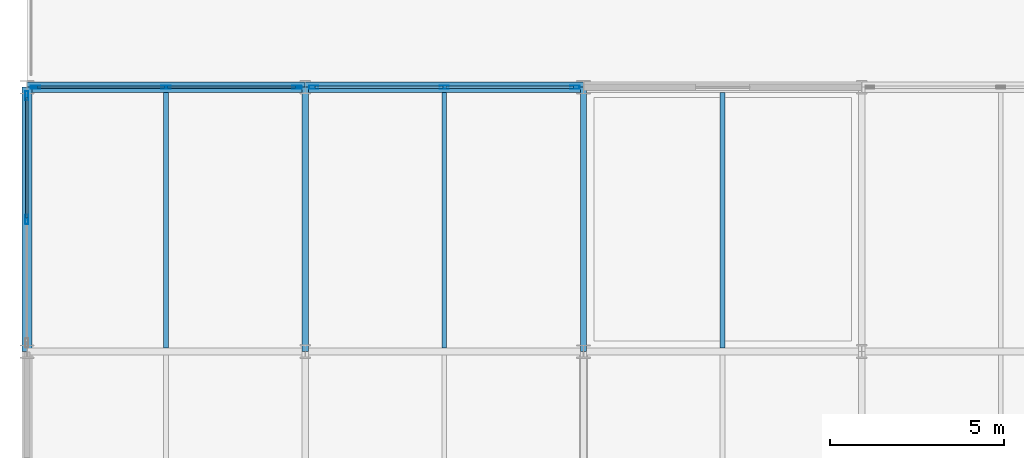
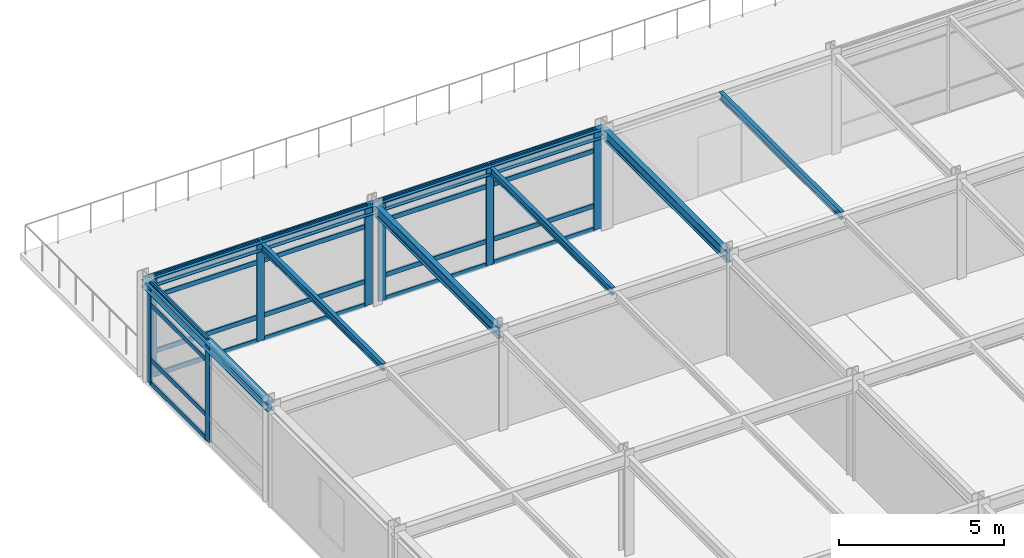
# One storey, part 8 of 17: 28 members, 8 beams, 3 elements without a shape of their own.
"""IFC4 building model written with IfcOpenShell, lengths in metres."""

import ifcopenshell
import ifcopenshell.guid

model = None  # the IFC model being written
_history = None  # IfcOwnerHistory: only IFC2X3 demands one
_inside = {}  # id of a spatial element -> (the spatial element, [elements in it])
_under = {}  # id of a project, library or spatial element -> (it, [spatial elements below it])
_declared = {}  # id of a project -> (the project, [libraries it declares])
_typed = {}  # id of a type object -> (the type object, [elements of that type])
_made_of = {}  # id of a material, layer set ... -> (it, [elements and type objects made of it])


def new_model(schema):
    """Start an empty IFC model of exactly this schema.

    Asked for "IFC4X3", IfcOpenShell would pick the latest addendum, in which some entities
    have other attributes; the version numbers below select the first issue.
    IFC2X3 requires an IfcOwnerHistory on every rooted entity: one is made here for all.
    """
    global model, _history
    if schema == "IFC4X3":
        model = ifcopenshell.file(schema_version=(4, 3, 0, 0))
    else:
        model = ifcopenshell.file(schema=schema)
    _inside.clear()
    _under.clear()
    _declared.clear()
    _typed.clear()
    _made_of.clear()
    _history = None
    if model.schema == "IFC2X3":
        org = make("IfcOrganization", Name="unknown")
        user = make(
            "IfcPersonAndOrganization",
            ThePerson=make("IfcPerson", FamilyName="unknown"),
            TheOrganization=org,
        )
        app = make(
            "IfcApplication",
            ApplicationDeveloper=org,
            Version="unknown",
            ApplicationFullName="unknown",
            ApplicationIdentifier="unknown",
        )
        _history = make(
            "IfcOwnerHistory",
            OwningUser=user,
            OwningApplication=app,
            ChangeAction="ADDED",
            CreationDate=0,
        )
    return model


def make(cls, **values):
    """One entity of the class cls with the attributes given. An attribute that is None is left unset."""
    return model.create_entity(
        cls, **{name: value for name, value in values.items() if value is not None}
    )


def rooted(cls, **values):
    """An entity with a GlobalId (a new one), such as an element, a storey or a relation."""
    return make(cls, GlobalId=ifcopenshell.guid.new(), OwnerHistory=_history, **values)


def si_unit(unit_type, name, prefix=None):
    """IfcSIUnit, for example si_unit("LENGTHUNIT", "METRE", prefix="MILLI")."""
    return make("IfcSIUnit", UnitType=unit_type, Prefix=prefix, Name=name)


def assignment(units):
    """IfcUnitAssignment: the units of a project."""
    return None if units is None else make("IfcUnitAssignment", Units=units)


def point(xyz):
    """IfcCartesianPoint."""
    return None if xyz is None else make("IfcCartesianPoint", Coordinates=xyz)


def direction(xyz):
    """IfcDirection."""
    return None if xyz is None else make("IfcDirection", DirectionRatios=xyz)


def frame(location, z_axis=None, x_axis=None):
    """IfcAxis2Placement3D, a coordinate frame: its origin and axes. An axis left out is left unset."""
    return make(
        "IfcAxis2Placement3D",
        Location=point(location),
        Axis=direction(z_axis),
        RefDirection=direction(x_axis),
    )


def frame_2d(location, x_axis=None):
    """IfcAxis2Placement2D, a coordinate frame in the plane: its origin and x axis."""
    return make(
        "IfcAxis2Placement2D", Location=point(location), RefDirection=direction(x_axis)
    )


def origin():
    """The frame at (0, 0, 0) with its axes left unset."""
    return frame((0.0, 0.0, 0.0))


def origin_2d():
    """The frame at (0, 0) in the plane with its x axis left unset."""
    return frame_2d((0.0, 0.0))


def place(relative_to, where):
    """IfcLocalPlacement: puts the frame where relative to a parent placement (None: the world)."""
    return make(
        "IfcLocalPlacement", PlacementRelTo=relative_to, RelativePlacement=where
    )


def context(
    kind, dimensions, precision=None, world=None, true_north=None, identifier=None
):
    """IfcGeometricRepresentationContext, for example the 3D "Model" context."""
    return make(
        "IfcGeometricRepresentationContext",
        ContextIdentifier=identifier,
        ContextType=kind,
        CoordinateSpaceDimension=dimensions,
        Precision=precision,
        WorldCoordinateSystem=world,
        TrueNorth=true_north,
    )


def subcontext(parent, identifier, kind, view, scale=None):
    """IfcGeometricRepresentationSubContext, for example "Body" below "Model"."""
    return make(
        "IfcGeometricRepresentationSubContext",
        ContextIdentifier=identifier,
        ContextType=kind,
        ParentContext=parent,
        TargetScale=scale,
        TargetView=view,
    )


def project(units=None, contexts=None):
    """IfcProject with its units and contexts."""
    return rooted(
        "IfcProject",
        Name="project",
        RepresentationContexts=contexts,
        UnitsInContext=assignment(units),
    )


def spatial(cls, under=None, at=None, **own):
    """A site, building, storey or space (cls), placed at a placement, below another one or the project."""
    s = rooted(cls, ObjectPlacement=at, **own)
    if under is not None:
        _under.setdefault(under.id(), (under, []))[1].append(s)
    return s


def profile(cls, at=None, kind="AREA", **sizes):
    """A parametric profile (cls). Its sizes go by their IFC names, for example OverallWidth=200.0."""
    return make(cls, ProfileType=kind, Position=at, **sizes)


def hollow_rectangle(**sizes):
    """IfcRectangleHollowProfileDef."""
    return profile("IfcRectangleHollowProfileDef", **sizes)


def i_section(**sizes):
    """IfcIShapeProfileDef."""
    return profile("IfcIShapeProfileDef", **sizes)


def extrude(swept, where, along, depth):
    """IfcExtrudedAreaSolid: the profile swept, set in the frame where, extruded along a direction by depth."""
    return make(
        "IfcExtrudedAreaSolid",
        SweptArea=swept,
        Position=where,
        ExtrudedDirection=direction(along),
        Depth=depth,
    )


def shape(context_of_items, identifier, shape_type, items):
    """IfcShapeRepresentation: the items that make up one representation, for example the "Body"."""
    return make(
        "IfcShapeRepresentation",
        ContextOfItems=context_of_items,
        RepresentationIdentifier=identifier,
        RepresentationType=shape_type,
        Items=items,
    )


def material(Name=None, Category=None):
    """IfcMaterial."""
    return make("IfcMaterial", Name=Name, Category=Category)


def layer(
    of_material, thickness, ventilated=None, Name=None, Category=None, Priority=None
):
    """IfcMaterialLayer: one layer of a wall or slab, of a material (None: an air gap)."""
    return make(
        "IfcMaterialLayer",
        Material=of_material,
        LayerThickness=thickness,
        IsVentilated=ventilated,
        Name=Name,
        Category=Category,
        Priority=Priority,
    )


def layer_set(layers, Name=None):
    """IfcMaterialLayerSet."""
    return make("IfcMaterialLayerSet", MaterialLayers=layers, LayerSetName=Name)


def material_profile(
    of_material, cross_section, Name=None, Category=None, Priority=None
):
    """IfcMaterialProfile: a cross section and its material."""
    return make(
        "IfcMaterialProfile",
        Name=Name,
        Material=of_material,
        Profile=cross_section,
        Priority=Priority,
        Category=Category,
    )


def profile_set(profiles, Name=None, composite=None):
    """IfcMaterialProfileSet."""
    return make(
        "IfcMaterialProfileSet",
        Name=Name,
        MaterialProfiles=profiles,
        CompositeProfile=composite,
    )


def made_of(thing, what):
    """Note that an element or type object is made of a material, layer set ...; save() writes the relation."""
    if what is not None:
        _made_of.setdefault(what.id(), (what, []))[1].append(thing)
    return thing


def type_object(cls, material=None, **own):
    """A type object (cls), such as IfcWallType, which elements share."""
    return made_of(rooted(cls, **own), material)


def element(
    cls,
    number,
    at=None,
    inside=None,
    cuts=None,
    type_object=None,
    material=None,
    context=None,
    identifier="Body",
    shape_type=None,
    held_by="IfcProductDefinitionShape",
    body=None,
    shapes=None,
    **own,
):
    """One element of the class cls, such as IfcWall. Its Tag is "e" and its number.

    at: its placement. inside: the storey or other place that contains it. cuts: it is an
    opening in that element (IfcRelVoidsElement). A single representation is given by context,
    identifier, shape_type and body (its items); several are given by shapes. held_by: the class
    of the entity that holds the representations. save() writes the other relations.
    """
    e = rooted(cls, Tag="e%d" % number, ObjectPlacement=at, **own)
    if body is not None:
        shapes = [shape(context, identifier, shape_type, body)]
    if shapes is not None:
        e.Representation = make(held_by, Representations=shapes)
    if inside is not None:
        _inside.setdefault(inside.id(), (inside, []))[1].append(e)
    if cuts is not None:
        rooted(
            "IfcRelVoidsElement", RelatingBuildingElement=cuts, RelatedOpeningElement=e
        )
    if type_object is not None:
        _typed.setdefault(type_object.id(), (type_object, []))[1].append(e)
    return made_of(e, material)


def aggregate(whole, parts):
    """IfcRelAggregates: a whole, such as a stair, and the parts it consists of."""
    return rooted("IfcRelAggregates", RelatingObject=whole, RelatedObjects=parts)


def save(model, path):
    """Write the relations noted so far, then the file.

    IfcRelAggregates (storeys below a building ...), IfcRelContainedInSpatialStructure (elements
    in a storey), IfcRelDefinesByType, IfcRelAssociatesMaterial and IfcRelDeclares: one each for
    every whole, place, type object, material and project.
    """
    for whole, parts in _under.values():
        aggregate(whole, parts)
    for where, things in _inside.values():
        rooted(
            "IfcRelContainedInSpatialStructure",
            RelatedElements=things,
            RelatingStructure=where,
        )
    for kind, things in _typed.values():
        rooted("IfcRelDefinesByType", RelatedObjects=things, RelatingType=kind)
    for what, things in _made_of.values():
        rooted("IfcRelAssociatesMaterial", RelatedObjects=things, RelatingMaterial=what)
    for by, libraries in _declared.values():
        rooted("IfcRelDeclares", RelatingContext=by, RelatedDefinitions=libraries)
    model.write(path)


model = new_model("IFC4")

# Units and contexts
model_context = context("Model", 3, precision=1e-05, world=origin(), true_north=direction((0.0, 1.0)))
body_context = subcontext(model_context, "Body", "Model", "MODEL_VIEW")
ifc_project = project(units=[si_unit("LENGTHUNIT", "METRE"), si_unit("AREAUNIT", "SQUARE_METRE"), si_unit("VOLUMEUNIT", "CUBIC_METRE"), si_unit("PLANEANGLEUNIT", "RADIAN"), si_unit("MASSUNIT", "GRAM", prefix="KILO")], contexts=[model_context])

# Site, building, storey
site_placement = place(None, origin())
site = spatial("IfcSite", under=ifc_project, at=site_placement, CompositionType="ELEMENT")
building_placement = place(site_placement, origin())
building = spatial("IfcBuilding", under=site, at=building_placement, Name="Shalkamar Park Central Library", CompositionType="ELEMENT")
storey_placement = place(building_placement, frame((0.0, 0.0, 36.0)))
storey = spatial("IfcBuildingStorey", under=building, at=storey_placement, Name="L09", CompositionType="ELEMENT", Elevation=36.0)

# Beams
ifc_material_1 = material(Name="Steel S355", Category="steel")
ifc_material_profile_1 = material_profile(ifc_material_1, i_section(OverallWidth=0.135009765625, OverallDepth=0.27001953125, WebThickness=0.006591796875, FlangeThickness=0.01025390625, FilletRadius=0.014892578125, at=origin_2d()), Name="IPE 270")
ifc_profile_set_1 = profile_set([ifc_material_profile_1], Name="Steel S355")
beam_type_1 = type_object("IfcBeamType", Name="Composite Floor Joist IPE270", PredefinedType="JOIST", material=ifc_profile_set_1)
for number, where, z_axis, x_axis, name in (
    (1, (169.0, 278.097900390625, 3.544921875), (0.0, 1.0, 0.0), (-1.0, 0.0, 0.0), "Composite Joist 07/F-1 (L09)"),
    (2, (177.0, 278.097900390625, 3.544921875), (0.0, 1.0, 0.0), (-1.0, 0.0, 0.0), "Composite Joist 08/F-1 (L09)"),
    (3, (185.0, 278.097900390625, 3.544921875), (0.0, 1.0, 0.0), (-1.0, 0.0, 0.0), "Composite Joist 09/F-1 (L09)"),
):
    element("IfcBeam", number, at=place(storey_placement, frame(where, z_axis=z_axis, x_axis=x_axis)), inside=storey, type_object=beam_type_1, Name=name, PredefinedType="JOIST", context=body_context, shape_type="SweptSolid", body=[
        extrude(i_section(OverallWidth=0.135009765625, OverallDepth=0.27001953125, WebThickness=0.006591796875, FlangeThickness=0.01025390625, FilletRadius=0.014892578125, at=origin_2d()), origin(), (0.0, 0.0, 1.0), 7.35400390625),
    ])

# Curtain wall, members
ifc_material_2 = material(Name="Thermally broken aluminium and triple low-e curtain wall", Category="aluminium")
ifc_layer_1 = layer(ifc_material_2, 0.27001953125)
ifc_layer_set_1 = layer_set([ifc_layer_1], Name="UnitisedCurtainWall_76")
curtain_wall_type_1 = type_object("IfcCurtainWallType", Name="Unitised Curtain Wall 76", PredefinedType="USERDEFINED", material=ifc_layer_set_1)
curtain_wall_1_placement = place(storey_placement, origin())
curtain_wall_1 = element("IfcCurtainWall", 4, at=curtain_wall_1_placement, inside=storey, type_object=curtain_wall_type_1, Name="Unitised Curtain Wall CW-L09-112", ObjectType="UNITISED CURTAIN WALL", PredefinedType="USERDEFINED")
ifc_material_3 = material(Name="Aluminium 6060-T66", Category="aluminium")
ifc_material_profile_2 = material_profile(ifc_material_3, hollow_rectangle(XDim=0.080078125, YDim=0.27001953125, WallThickness=0.0048828125, InnerFilletRadius=0.0048828125, OuterFilletRadius=0.007568359375, at=origin_2d()), Name="ALU 80x270x5")
ifc_profile_set_2 = profile_set([ifc_material_profile_2], Name="Aluminium 6060-T66")
member_type_1 = type_object("IfcMemberType", Name="Curtain Wall Mullion ALU80x270", PredefinedType="MULLION", material=ifc_profile_set_2)
member_1_placement = place(storey_placement, frame((165.242919921875, 285.60009765625, 0.0), z_axis=(0.0, 0.0, 1.0), x_axis=(0.0, 1.0, 0.0)))
member_1 = element("IfcMember", 5, at=member_1_placement, type_object=member_type_1, Name="CW-76 mullion 1", PredefinedType="MULLION", context=body_context, shape_type="SweptSolid", body=[
    extrude(hollow_rectangle(XDim=0.080078125, YDim=0.27001953125, WallThickness=0.0048828125, InnerFilletRadius=0.0048828125, OuterFilletRadius=0.007568359375, at=origin_2d()), origin(), (0.0, 0.0, 1.0), 3.679931640625),
])
member_2_placement = place(storey_placement, frame((169.000732421875, 285.60009765625, 0.0), z_axis=(0.0, 0.0, 1.0), x_axis=(0.0, 1.0, 0.0)))
member_2 = element("IfcMember", 6, at=member_2_placement, type_object=member_type_1, Name="CW-76 mullion 2", PredefinedType="MULLION", context=body_context, shape_type="SweptSolid", body=[
    extrude(hollow_rectangle(XDim=0.080078125, YDim=0.27001953125, WallThickness=0.0048828125, InnerFilletRadius=0.0048828125, OuterFilletRadius=0.007568359375, at=origin_2d()), origin(), (0.0, 0.0, 1.0), 3.679931640625),
])
member_3_placement = place(storey_placement, frame((172.758544921875, 285.60009765625, 0.0), z_axis=(0.0, 0.0, 1.0), x_axis=(0.0, 1.0, 0.0)))
member_3 = element("IfcMember", 7, at=member_3_placement, type_object=member_type_1, Name="CW-76 mullion 3", PredefinedType="MULLION", context=body_context, shape_type="SweptSolid", body=[
    extrude(hollow_rectangle(XDim=0.080078125, YDim=0.27001953125, WallThickness=0.0048828125, InnerFilletRadius=0.0048828125, OuterFilletRadius=0.007568359375, at=origin_2d()), origin(), (0.0, 0.0, 1.0), 3.679931640625),
])

ifc_layer_2 = layer(ifc_material_2, 0.264892578125)
ifc_layer_set_2 = layer_set([ifc_layer_2], Name="UnitisedCurtainWall_77")
curtain_wall_type_2 = type_object("IfcCurtainWallType", Name="Unitised Curtain Wall 77", PredefinedType="USERDEFINED", material=ifc_layer_set_2)
curtain_wall_2_placement = place(storey_placement, origin())
curtain_wall_2 = element("IfcCurtainWall", 8, at=curtain_wall_2_placement, inside=storey, type_object=curtain_wall_type_2, Name="Unitised Curtain Wall CW-L09-113", ObjectType="UNITISED CURTAIN WALL", PredefinedType="USERDEFINED")
ifc_material_profile_3 = material_profile(ifc_material_3, hollow_rectangle(XDim=0.0849609375, YDim=0.264892578125, WallThickness=0.0048828125, InnerFilletRadius=0.0048828125, OuterFilletRadius=0.007568359375, at=origin_2d()), Name="ALU 85x265x5")
ifc_profile_set_3 = profile_set([ifc_material_profile_3], Name="Aluminium 6060-T66")
member_type_2 = type_object("IfcMemberType", Name="Curtain Wall Mullion ALU85x265", PredefinedType="MULLION", material=ifc_profile_set_3)
member_4_placement = place(storey_placement, frame((173.243896484375, 285.60009765625, 0.0), z_axis=(0.0, 0.0, 1.0), x_axis=(0.0, 1.0, 0.0)))
member_4 = element("IfcMember", 9, at=member_4_placement, type_object=member_type_2, Name="CW-77 mullion 1", PredefinedType="MULLION", context=body_context, shape_type="SweptSolid", body=[
    extrude(hollow_rectangle(XDim=0.0849609375, YDim=0.264892578125, WallThickness=0.0048828125, InnerFilletRadius=0.0048828125, OuterFilletRadius=0.007568359375, at=origin_2d()), origin(), (0.0, 0.0, 1.0), 3.679931640625),
])
member_5_placement = place(storey_placement, frame((176.999267578125, 285.60009765625, 0.0), z_axis=(0.0, 0.0, 1.0), x_axis=(0.0, 1.0, 0.0)))
member_5 = element("IfcMember", 10, at=member_5_placement, type_object=member_type_2, Name="CW-77 mullion 2", PredefinedType="MULLION", context=body_context, shape_type="SweptSolid", body=[
    extrude(hollow_rectangle(XDim=0.0849609375, YDim=0.264892578125, WallThickness=0.0048828125, InnerFilletRadius=0.0048828125, OuterFilletRadius=0.007568359375, at=origin_2d()), origin(), (0.0, 0.0, 1.0), 3.679931640625),
])
member_6_placement = place(storey_placement, frame((180.75439453125, 285.60009765625, 0.0), z_axis=(0.0, 0.0, 1.0), x_axis=(0.0, 1.0, 0.0)))
member_6 = element("IfcMember", 11, at=member_6_placement, type_object=member_type_2, Name="CW-77 mullion 3", PredefinedType="MULLION", context=body_context, shape_type="SweptSolid", body=[
    extrude(hollow_rectangle(XDim=0.0849609375, YDim=0.264892578125, WallThickness=0.0048828125, InnerFilletRadius=0.0048828125, OuterFilletRadius=0.007568359375, at=origin_2d()), origin(), (0.0, 0.0, 1.0), 3.679931640625),
])

ifc_layer_3 = layer(ifc_material_2, 0.264892578125)
ifc_layer_set_3 = layer_set([ifc_layer_3], Name="UnitisedCurtainWall_81")
curtain_wall_type_3 = type_object("IfcCurtainWallType", Name="Unitised Curtain Wall 81", PredefinedType="USERDEFINED", material=ifc_layer_set_3)
curtain_wall_3_placement = place(storey_placement, origin())
curtain_wall_3 = element("IfcCurtainWall", 12, at=curtain_wall_3_placement, inside=storey, type_object=curtain_wall_type_3, Name="Unitised Curtain Wall CW-L09-117", ObjectType="UNITISED CURTAIN WALL", PredefinedType="USERDEFINED")
member_7_placement = place(storey_placement, frame((165.0, 281.800048828125, 0.0), z_axis=(0.0, 0.0, 1.0), x_axis=(-1.0, 0.0, 0.0)))
member_7 = element("IfcMember", 13, at=member_7_placement, type_object=member_type_2, Name="CW-81 mullion 2", PredefinedType="MULLION", context=body_context, shape_type="SweptSolid", body=[
    extrude(hollow_rectangle(XDim=0.0849609375, YDim=0.264892578125, WallThickness=0.0048828125, InnerFilletRadius=0.0048828125, OuterFilletRadius=0.007568359375, at=origin_2d()), origin(), (0.0, 0.0, 1.0), 3.679931640625),
])
member_8_placement = place(storey_placement, frame((165.0, 285.3544921875, 0.0), z_axis=(0.0, 0.0, 1.0), x_axis=(-1.0, 0.0, 0.0)))
member_8 = element("IfcMember", 14, at=member_8_placement, type_object=member_type_2, Name="CW-81 mullion 3", PredefinedType="MULLION", context=body_context, shape_type="SweptSolid", body=[
    extrude(hollow_rectangle(XDim=0.0849609375, YDim=0.264892578125, WallThickness=0.0048828125, InnerFilletRadius=0.0048828125, OuterFilletRadius=0.007568359375, at=origin_2d()), origin(), (0.0, 0.0, 1.0), 3.679931640625),
])

# Member
ifc_material_profile_4 = material_profile(ifc_material_3, hollow_rectangle(XDim=0.06494140625, YDim=0.175048828125, WallThickness=0.00439453125, InnerFilletRadius=0.00439453125, OuterFilletRadius=0.0068359375, at=origin_2d()), Name="ALU 65x175x4.5")
ifc_profile_set_4 = profile_set([ifc_material_profile_4], Name="Aluminium 6060-T66")
member_type_3 = type_object("IfcMemberType", Name="Curtain Wall Transom ALU65x175", PredefinedType="USERDEFINED", material=ifc_profile_set_4)
member_9_placement = place(storey_placement, frame((165.282958984375, 285.60009765625, 0.032470703125), z_axis=(1.0, 0.0, 0.0), x_axis=(0.0, 1.0, 0.0)))
member_9 = element("IfcMember", 15, at=member_9_placement, type_object=member_type_3, Name="CW-76 transom 1.1", ObjectType="TRANSOM", PredefinedType="USERDEFINED", context=body_context, shape_type="SweptSolid", body=[
    extrude(hollow_rectangle(XDim=0.06494140625, YDim=0.175048828125, WallThickness=0.00439453125, InnerFilletRadius=0.00439453125, OuterFilletRadius=0.0068359375, at=origin_2d()), origin(), (0.0, 0.0, 1.0), 3.677734375),
])

member_10_placement = place(storey_placement, frame((165.282958984375, 285.60009765625, 0.89990234375), z_axis=(1.0, 0.0, 0.0), x_axis=(0.0, 1.0, 0.0)))
member_10 = element("IfcMember", 16, at=member_10_placement, type_object=member_type_3, Name="CW-76 transom 1.2", ObjectType="TRANSOM", PredefinedType="USERDEFINED", context=body_context, shape_type="SweptSolid", body=[
    extrude(hollow_rectangle(XDim=0.06494140625, YDim=0.175048828125, WallThickness=0.00439453125, InnerFilletRadius=0.00439453125, OuterFilletRadius=0.0068359375, at=origin_2d()), origin(), (0.0, 0.0, 1.0), 3.677734375),
])

member_11_placement = place(storey_placement, frame((165.282958984375, 285.60009765625, 2.929931640625), z_axis=(1.0, 0.0, 0.0), x_axis=(0.0, 1.0, 0.0)))
member_11 = element("IfcMember", 17, at=member_11_placement, type_object=member_type_3, Name="CW-76 transom 1.3", ObjectType="TRANSOM", PredefinedType="USERDEFINED", context=body_context, shape_type="SweptSolid", body=[
    extrude(hollow_rectangle(XDim=0.06494140625, YDim=0.175048828125, WallThickness=0.00439453125, InnerFilletRadius=0.00439453125, OuterFilletRadius=0.0068359375, at=origin_2d()), origin(), (0.0, 0.0, 1.0), 3.677734375),
])

member_12_placement = place(storey_placement, frame((165.282958984375, 285.60009765625, 3.6474609375), z_axis=(1.0, 0.0, 0.0), x_axis=(0.0, 1.0, 0.0)))
member_12 = element("IfcMember", 18, at=member_12_placement, type_object=member_type_3, Name="CW-76 transom 1.4", ObjectType="TRANSOM", PredefinedType="USERDEFINED", context=body_context, shape_type="SweptSolid", body=[
    extrude(hollow_rectangle(XDim=0.06494140625, YDim=0.175048828125, WallThickness=0.00439453125, InnerFilletRadius=0.00439453125, OuterFilletRadius=0.0068359375, at=origin_2d()), origin(), (0.0, 0.0, 1.0), 3.677734375),
])

member_13_placement = place(storey_placement, frame((169.040771484375, 285.60009765625, 0.032470703125), z_axis=(1.0, 0.0, 0.0), x_axis=(0.0, 1.0, 0.0)))
member_13 = element("IfcMember", 19, at=member_13_placement, type_object=member_type_3, Name="CW-76 transom 2.1", ObjectType="TRANSOM", PredefinedType="USERDEFINED", context=body_context, shape_type="SweptSolid", body=[
    extrude(hollow_rectangle(XDim=0.06494140625, YDim=0.175048828125, WallThickness=0.00439453125, InnerFilletRadius=0.00439453125, OuterFilletRadius=0.0068359375, at=origin_2d()), origin(), (0.0, 0.0, 1.0), 3.677734375),
])

member_14_placement = place(storey_placement, frame((169.040771484375, 285.60009765625, 0.89990234375), z_axis=(1.0, 0.0, 0.0), x_axis=(0.0, 1.0, 0.0)))
member_14 = element("IfcMember", 20, at=member_14_placement, type_object=member_type_3, Name="CW-76 transom 2.2", ObjectType="TRANSOM", PredefinedType="USERDEFINED", context=body_context, shape_type="SweptSolid", body=[
    extrude(hollow_rectangle(XDim=0.06494140625, YDim=0.175048828125, WallThickness=0.00439453125, InnerFilletRadius=0.00439453125, OuterFilletRadius=0.0068359375, at=origin_2d()), origin(), (0.0, 0.0, 1.0), 3.677734375),
])

member_15_placement = place(storey_placement, frame((169.040771484375, 285.60009765625, 2.929931640625), z_axis=(1.0, 0.0, 0.0), x_axis=(0.0, 1.0, 0.0)))
member_15 = element("IfcMember", 21, at=member_15_placement, type_object=member_type_3, Name="CW-76 transom 2.3", ObjectType="TRANSOM", PredefinedType="USERDEFINED", context=body_context, shape_type="SweptSolid", body=[
    extrude(hollow_rectangle(XDim=0.06494140625, YDim=0.175048828125, WallThickness=0.00439453125, InnerFilletRadius=0.00439453125, OuterFilletRadius=0.0068359375, at=origin_2d()), origin(), (0.0, 0.0, 1.0), 3.677734375),
])

member_16_placement = place(storey_placement, frame((169.040771484375, 285.60009765625, 3.6474609375), z_axis=(1.0, 0.0, 0.0), x_axis=(0.0, 1.0, 0.0)))
member_16 = element("IfcMember", 22, at=member_16_placement, type_object=member_type_3, Name="CW-76 transom 2.4", ObjectType="TRANSOM", PredefinedType="USERDEFINED", context=body_context, shape_type="SweptSolid", body=[
    extrude(hollow_rectangle(XDim=0.06494140625, YDim=0.175048828125, WallThickness=0.00439453125, InnerFilletRadius=0.00439453125, OuterFilletRadius=0.0068359375, at=origin_2d()), origin(), (0.0, 0.0, 1.0), 3.677734375),
])

aggregate(curtain_wall_1, [member_1, member_2, member_3, member_9, member_10, member_11, member_12, member_13, member_14, member_15, member_16])

ifc_material_profile_5 = material_profile(ifc_material_3, hollow_rectangle(XDim=0.070068359375, YDim=0.179931640625, WallThickness=0.00439453125, InnerFilletRadius=0.00439453125, OuterFilletRadius=0.0068359375, at=origin_2d()), Name="ALU 70x180x4.5")
ifc_profile_set_5 = profile_set([ifc_material_profile_5], Name="Aluminium 6060-T66")
member_type_4 = type_object("IfcMemberType", Name="Curtain Wall Transom ALU70x180", PredefinedType="USERDEFINED", material=ifc_profile_set_5)
member_17_placement = place(storey_placement, frame((173.28662109375, 285.60009765625, 0.034912109375), z_axis=(1.0, 0.0, 0.0), x_axis=(0.0, 1.0, 0.0)))
member_17 = element("IfcMember", 23, at=member_17_placement, type_object=member_type_4, Name="CW-77 transom 1.1", ObjectType="TRANSOM", PredefinedType="USERDEFINED", context=body_context, shape_type="SweptSolid", body=[
    extrude(hollow_rectangle(XDim=0.070068359375, YDim=0.179931640625, WallThickness=0.00439453125, InnerFilletRadius=0.00439453125, OuterFilletRadius=0.0068359375, at=origin_2d()), origin(), (0.0, 0.0, 1.0), 3.670166015625),
])

member_18_placement = place(storey_placement, frame((173.28662109375, 285.60009765625, 0.89990234375), z_axis=(1.0, 0.0, 0.0), x_axis=(0.0, 1.0, 0.0)))
member_18 = element("IfcMember", 24, at=member_18_placement, type_object=member_type_4, Name="CW-77 transom 1.2", ObjectType="TRANSOM", PredefinedType="USERDEFINED", context=body_context, shape_type="SweptSolid", body=[
    extrude(hollow_rectangle(XDim=0.070068359375, YDim=0.179931640625, WallThickness=0.00439453125, InnerFilletRadius=0.00439453125, OuterFilletRadius=0.0068359375, at=origin_2d()), origin(), (0.0, 0.0, 1.0), 3.670166015625),
])

member_19_placement = place(storey_placement, frame((173.28662109375, 285.60009765625, 2.929931640625), z_axis=(1.0, 0.0, 0.0), x_axis=(0.0, 1.0, 0.0)))
member_19 = element("IfcMember", 25, at=member_19_placement, type_object=member_type_4, Name="CW-77 transom 1.3", ObjectType="TRANSOM", PredefinedType="USERDEFINED", context=body_context, shape_type="SweptSolid", body=[
    extrude(hollow_rectangle(XDim=0.070068359375, YDim=0.179931640625, WallThickness=0.00439453125, InnerFilletRadius=0.00439453125, OuterFilletRadius=0.0068359375, at=origin_2d()), origin(), (0.0, 0.0, 1.0), 3.670166015625),
])

member_20_placement = place(storey_placement, frame((173.28662109375, 285.60009765625, 3.64501953125), z_axis=(1.0, 0.0, 0.0), x_axis=(0.0, 1.0, 0.0)))
member_20 = element("IfcMember", 26, at=member_20_placement, type_object=member_type_4, Name="CW-77 transom 1.4", ObjectType="TRANSOM", PredefinedType="USERDEFINED", context=body_context, shape_type="SweptSolid", body=[
    extrude(hollow_rectangle(XDim=0.070068359375, YDim=0.179931640625, WallThickness=0.00439453125, InnerFilletRadius=0.00439453125, OuterFilletRadius=0.0068359375, at=origin_2d()), origin(), (0.0, 0.0, 1.0), 3.670166015625),
])

member_21_placement = place(storey_placement, frame((177.041748046875, 285.60009765625, 0.034912109375), z_axis=(1.0, 0.0, 0.0), x_axis=(0.0, 1.0, 0.0)))
member_21 = element("IfcMember", 27, at=member_21_placement, type_object=member_type_4, Name="CW-77 transom 2.1", ObjectType="TRANSOM", PredefinedType="USERDEFINED", context=body_context, shape_type="SweptSolid", body=[
    extrude(hollow_rectangle(XDim=0.070068359375, YDim=0.179931640625, WallThickness=0.00439453125, InnerFilletRadius=0.00439453125, OuterFilletRadius=0.0068359375, at=origin_2d()), origin(), (0.0, 0.0, 1.0), 3.670166015625),
])

member_22_placement = place(storey_placement, frame((177.041748046875, 285.60009765625, 0.89990234375), z_axis=(1.0, 0.0, 0.0), x_axis=(0.0, 1.0, 0.0)))
member_22 = element("IfcMember", 28, at=member_22_placement, type_object=member_type_4, Name="CW-77 transom 2.2", ObjectType="TRANSOM", PredefinedType="USERDEFINED", context=body_context, shape_type="SweptSolid", body=[
    extrude(hollow_rectangle(XDim=0.070068359375, YDim=0.179931640625, WallThickness=0.00439453125, InnerFilletRadius=0.00439453125, OuterFilletRadius=0.0068359375, at=origin_2d()), origin(), (0.0, 0.0, 1.0), 3.670166015625),
])

member_23_placement = place(storey_placement, frame((177.041748046875, 285.60009765625, 2.929931640625), z_axis=(1.0, 0.0, 0.0), x_axis=(0.0, 1.0, 0.0)))
member_23 = element("IfcMember", 29, at=member_23_placement, type_object=member_type_4, Name="CW-77 transom 2.3", ObjectType="TRANSOM", PredefinedType="USERDEFINED", context=body_context, shape_type="SweptSolid", body=[
    extrude(hollow_rectangle(XDim=0.070068359375, YDim=0.179931640625, WallThickness=0.00439453125, InnerFilletRadius=0.00439453125, OuterFilletRadius=0.0068359375, at=origin_2d()), origin(), (0.0, 0.0, 1.0), 3.670166015625),
])

member_24_placement = place(storey_placement, frame((177.041748046875, 285.60009765625, 3.64501953125), z_axis=(1.0, 0.0, 0.0), x_axis=(0.0, 1.0, 0.0)))
member_24 = element("IfcMember", 30, at=member_24_placement, type_object=member_type_4, Name="CW-77 transom 2.4", ObjectType="TRANSOM", PredefinedType="USERDEFINED", context=body_context, shape_type="SweptSolid", body=[
    extrude(hollow_rectangle(XDim=0.070068359375, YDim=0.179931640625, WallThickness=0.00439453125, InnerFilletRadius=0.00439453125, OuterFilletRadius=0.0068359375, at=origin_2d()), origin(), (0.0, 0.0, 1.0), 3.670166015625),
])

aggregate(curtain_wall_2, [member_4, member_5, member_6, member_17, member_18, member_19, member_20, member_21, member_22, member_23, member_24])

member_25_placement = place(storey_placement, frame((165.0, 281.842529296875, 0.034912109375), z_axis=(0.0, 1.0, 0.0), x_axis=(-1.0, 0.0, 0.0)))
member_25 = element("IfcMember", 31, at=member_25_placement, type_object=member_type_4, Name="CW-81 transom 2.1", ObjectType="TRANSOM", PredefinedType="USERDEFINED", context=body_context, shape_type="SweptSolid", body=[
    extrude(hollow_rectangle(XDim=0.070068359375, YDim=0.179931640625, WallThickness=0.00439453125, InnerFilletRadius=0.00439453125, OuterFilletRadius=0.0068359375, at=origin_2d()), origin(), (0.0, 0.0, 1.0), 3.469482421875),
])

member_26_placement = place(storey_placement, frame((165.0, 281.842529296875, 0.89990234375), z_axis=(0.0, 1.0, 0.0), x_axis=(-1.0, 0.0, 0.0)))
member_26 = element("IfcMember", 32, at=member_26_placement, type_object=member_type_4, Name="CW-81 transom 2.2", ObjectType="TRANSOM", PredefinedType="USERDEFINED", context=body_context, shape_type="SweptSolid", body=[
    extrude(hollow_rectangle(XDim=0.070068359375, YDim=0.179931640625, WallThickness=0.00439453125, InnerFilletRadius=0.00439453125, OuterFilletRadius=0.0068359375, at=origin_2d()), origin(), (0.0, 0.0, 1.0), 3.469482421875),
])

member_27_placement = place(storey_placement, frame((165.0, 281.842529296875, 2.929931640625), z_axis=(0.0, 1.0, 0.0), x_axis=(-1.0, 0.0, 0.0)))
member_27 = element("IfcMember", 33, at=member_27_placement, type_object=member_type_4, Name="CW-81 transom 2.3", ObjectType="TRANSOM", PredefinedType="USERDEFINED", context=body_context, shape_type="SweptSolid", body=[
    extrude(hollow_rectangle(XDim=0.070068359375, YDim=0.179931640625, WallThickness=0.00439453125, InnerFilletRadius=0.00439453125, OuterFilletRadius=0.0068359375, at=origin_2d()), origin(), (0.0, 0.0, 1.0), 3.469482421875),
])

member_28_placement = place(storey_placement, frame((165.0, 281.842529296875, 3.64501953125), z_axis=(0.0, 1.0, 0.0), x_axis=(-1.0, 0.0, 0.0)))
member_28 = element("IfcMember", 34, at=member_28_placement, type_object=member_type_4, Name="CW-81 transom 2.4", ObjectType="TRANSOM", PredefinedType="USERDEFINED", context=body_context, shape_type="SweptSolid", body=[
    extrude(hollow_rectangle(XDim=0.070068359375, YDim=0.179931640625, WallThickness=0.00439453125, InnerFilletRadius=0.00439453125, OuterFilletRadius=0.0068359375, at=origin_2d()), origin(), (0.0, 0.0, 1.0), 3.469482421875),
])

aggregate(curtain_wall_3, [member_7, member_8, member_25, member_26, member_27, member_28])

# Beams
ifc_material_profile_6 = material_profile(ifc_material_1, i_section(OverallWidth=0.280029296875, OverallDepth=0.27001953125, WebThickness=0.008056640625, FlangeThickness=0.012939453125, FilletRadius=0.02392578125, at=origin_2d()), Name="HEA 280")
ifc_profile_set_6 = profile_set([ifc_material_profile_6], Name="Steel S355")
beam_type_2 = type_object("IfcBeamType", Name="Perimeter Spandrel Beam HEA280", PredefinedType="SPANDREL", material=ifc_profile_set_6)
beam_placement = place(storey_placement, frame((165.0, 278.0, 3.544921875), z_axis=(0.0, 1.0, 0.0), x_axis=(-1.0, 0.0, 0.0)))
element("IfcBeam", 35, at=beam_placement, inside=storey, type_object=beam_type_2, Name="Beam 07:F-G (L09)", PredefinedType="SPANDREL", context=body_context, shape_type="SweptSolid", body=[
    extrude(i_section(OverallWidth=0.280029296875, OverallDepth=0.27001953125, WebThickness=0.008056640625, FlangeThickness=0.012939453125, FilletRadius=0.02392578125, at=origin_2d()), origin(), (0.0, 0.0, 1.0), 7.60009765625),
])
ifc_material_profile_7 = material_profile(ifc_material_1, i_section(OverallWidth=0.300048828125, OverallDepth=0.31005859375, WebThickness=0.009033203125, FlangeThickness=0.015380859375, FilletRadius=0.027099609375, at=origin_2d()), Name="HEA 320")
ifc_profile_set_7 = profile_set([ifc_material_profile_7], Name="Steel S355")
beam_type_3 = type_object("IfcBeamType", Name="Perimeter Spandrel Beam HEA320", PredefinedType="SPANDREL", material=ifc_profile_set_7)
for number, where, z_axis, x_axis, name in (
    (36, (165.0, 285.60009765625, 3.52490234375), (1.0, 0.0, 0.0), (0.0, 1.0, 0.0), "Beam G:07-08 (L09)"),
    (37, (173.0, 285.60009765625, 3.52490234375), (1.0, 0.0, 0.0), (0.0, 1.0, 0.0), "Beam G:08-09 (L09)"),
):
    element("IfcBeam", number, at=place(storey_placement, frame(where, z_axis=z_axis, x_axis=x_axis)), inside=storey, type_object=beam_type_3, Name=name, PredefinedType="SPANDREL", context=body_context, shape_type="SweptSolid", body=[
        extrude(i_section(OverallWidth=0.300048828125, OverallDepth=0.31005859375, WebThickness=0.009033203125, FlangeThickness=0.015380859375, FilletRadius=0.027099609375, at=origin_2d()), origin(), (0.0, 0.0, 1.0), 8.0),
    ])
ifc_material_profile_8 = material_profile(ifc_material_1, i_section(OverallWidth=0.179931640625, OverallDepth=0.39990234375, WebThickness=0.008544921875, FlangeThickness=0.013427734375, FilletRadius=0.02099609375, at=origin_2d()), Name="IPE 400")
ifc_profile_set_8 = profile_set([ifc_material_profile_8], Name="Steel S355")
beam_type_4 = type_object("IfcBeamType", Name="Primary Girder IPE400", PredefinedType="BEAM", material=ifc_profile_set_8)
for number, where, z_axis, x_axis, name in (
    (38, (173.0, 278.0, 3.47998046875), (0.0, 1.0, 0.0), (-1.0, 0.0, 0.0), "Beam 08:F-G (L09)"),
    (39, (181.0, 278.0, 3.47998046875), (0.0, 1.0, 0.0), (-1.0, 0.0, 0.0), "Beam 09:F-G (L09)"),
):
    element("IfcBeam", number, at=place(storey_placement, frame(where, z_axis=z_axis, x_axis=x_axis)), inside=storey, type_object=beam_type_4, Name=name, PredefinedType="BEAM", context=body_context, shape_type="SweptSolid", body=[
        extrude(i_section(OverallWidth=0.179931640625, OverallDepth=0.39990234375, WebThickness=0.008544921875, FlangeThickness=0.013427734375, FilletRadius=0.02099609375, at=origin_2d()), origin(), (0.0, 0.0, 1.0), 7.60009765625),
    ])

save(model, "model.ifc")
